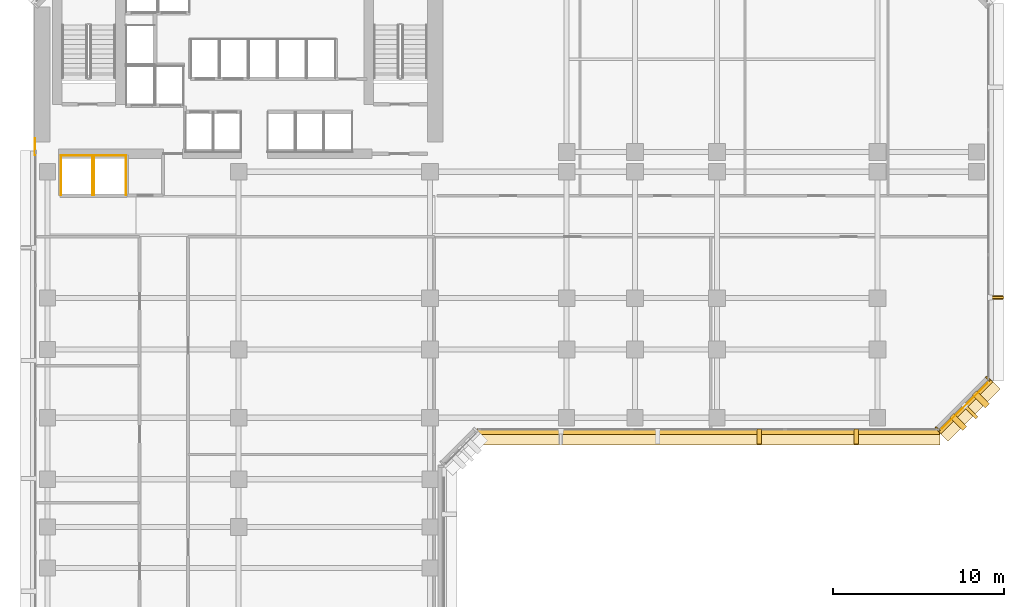
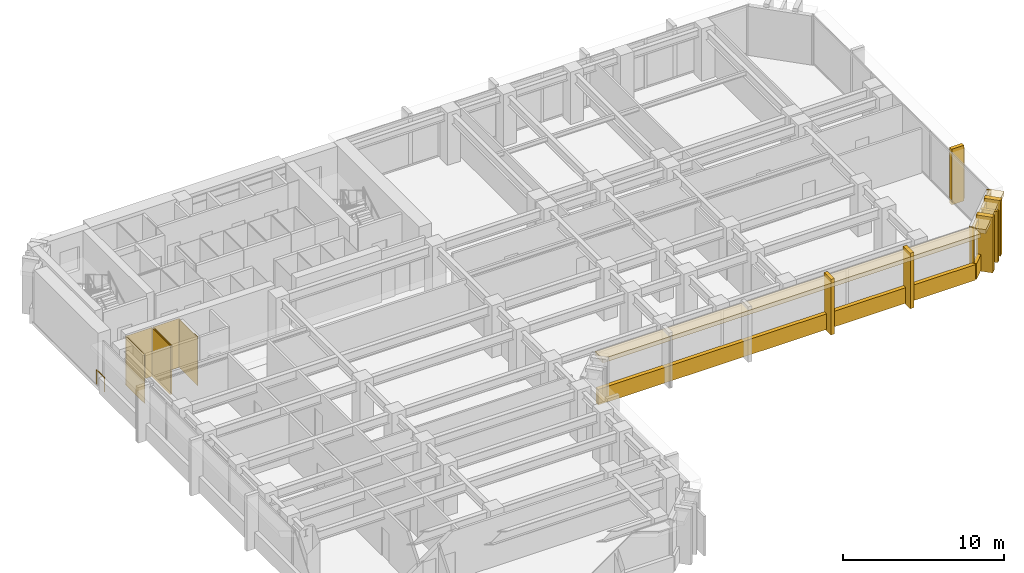
# One storey, part 11 of 14: 18 coverings, 2 shading devices, 1 railing.
"""IFC4 building model written with IfcOpenShell, lengths in metres."""

from ifc_helpers import new_model, si_unit, direction, frame, origin, origin_2d, place, context, subcontext, project, spatial, polyline, rectangle, circle, outline, extrude, material, layer, layer_set, material_profile, profile_set, type_object, element, save


model = new_model("IFC4")

# Units and contexts
model_context = context("Model", 3, precision=1e-05, world=origin(), true_north=direction((0.0, 1.0)))
body_context = subcontext(model_context, "Body", "Model", "MODEL_VIEW")
ifc_project = project(units=[si_unit("LENGTHUNIT", "METRE"), si_unit("AREAUNIT", "SQUARE_METRE"), si_unit("VOLUMEUNIT", "CUBIC_METRE"), si_unit("PLANEANGLEUNIT", "RADIAN"), si_unit("MASSUNIT", "GRAM", prefix="KILO")], contexts=[model_context])

# Site, building, storey
site_placement = place(None, origin())
site = spatial("IfcSite", under=ifc_project, at=site_placement, CompositionType="ELEMENT")
building_placement = place(site_placement, origin())
building = spatial("IfcBuilding", under=site, at=building_placement, Name="Kefirva Bronze Tower", CompositionType="ELEMENT")
storey_placement = place(building_placement, frame((0.0, 0.0, 42.239990234375)))
storey = spatial("IfcBuildingStorey", under=building, at=storey_placement, Name="L09", CompositionType="ELEMENT", Elevation=42.239990234375)

# Coverings
ifc_material_1 = material(Name="Bronze anodised aluminium", Category="aluminium")
ifc_layer_1 = layer(ifc_material_1, 0.02001953125, Name="Bronze anodised aluminium")
ifc_layer_set_1 = layer_set([ifc_layer_1], Name="Bronze anodised aluminium")
covering_type_1 = type_object("IfcCoveringType", Name="Anodised Bronze Spandrel Cladding 20mm", PredefinedType="CLADDING", material=ifc_layer_set_1)
covering_1_placement = place(storey_placement, frame((39.5, 17.9599609375, -0.16015625), z_axis=(0.0, 0.0, 1.0), x_axis=(1.0, 0.0, 0.0)))
element("IfcCovering", 1, at=covering_1_placement, inside=storey, type_object=covering_type_1, Name="L09 Streamline Horizontal Spandrel Band 4", PredefinedType="CLADDING", context=body_context, shape_type="SweptSolid", body=[
    extrude(rectangle(XDim=27.0400390625, YDim=0.280029296875, at=origin_2d()), origin(), (0.0, 0.0, 1.0), 1.179931640625),
])
covering_2_placement = place(storey_placement, frame((54.507080078125, 19.492919921875, 3.2900390625), z_axis=(0.0, 0.0, 1.0), x_axis=(0.707106781187, 0.707106781187, 0.0)))
element("IfcCovering", 2, at=covering_2_placement, inside=storey, type_object=covering_type_1, Name="L09 Bronze Spandrel Cladding 4", PredefinedType="CLADDING", context=body_context, shape_type="SweptSolid", body=[
    extrude(rectangle(XDim=3.719482421875, YDim=0.02001953125, at=origin_2d()), origin(), (0.0, 0.0, 1.0), 0.39990234375),
])
for number, where, z_axis, x_axis, name in (
    (3, (52.91162109375, 18.137939453125, 0.0), (0.0, 0.0, 1.0), (0.707106781187, 0.707106781187, 0.0), "L09 Facade Joint Closure Panel 4S"),
    (4, (55.862060546875, 21.08837890625, 0.0), (0.0, 0.0, 1.0), (0.707106781187, 0.707106781187, 0.0), "L09 Facade Joint Closure Panel 4E"),
):
    element("IfcCovering", number, at=place(storey_placement, frame(where, z_axis=z_axis, x_axis=x_axis)), inside=storey, type_object=covering_type_1, Name=name, PredefinedType="CLADDING", context=body_context, shape_type="SweptSolid", body=[
        extrude(rectangle(XDim=0.10009765625, YDim=0.320068359375, at=origin_2d()), origin(), (0.0, 0.0, 1.0), 3.7099609375),
    ])
covering_3_placement = place(storey_placement, frame((54.5283203125, 19.4716796875, -0.16015625), z_axis=(0.0, 0.0, 1.0), x_axis=(0.707106781187, 0.707106781187, 0.0)))
element("IfcCovering", 5, at=covering_3_placement, inside=storey, type_object=covering_type_1, Name="L09 Streamline Horizontal Spandrel Band 5", PredefinedType="CLADDING", context=body_context, shape_type="SweptSolid", body=[
    extrude(rectangle(XDim=4.28271484375, YDim=0.280029296875, at=origin_2d()), origin(), (0.0, 0.0, 1.0), 1.179931640625),
])
covering_4_placement = place(storey_placement, origin())
element("IfcCovering", 6, at=covering_4_placement, inside=storey, type_object=covering_type_1, Name="L09 Lift OB1 Hoistway Liner N", PredefinedType="CLADDING", context=body_context, shape_type="SweptSolid", body=[
    extrude(outline(polyline([(1.580078125, 34.139892578125), (3.469970703125, 34.139892578125), (3.469970703125, 34.159912109375), (1.580078125, 34.159912109375), (1.580078125, 34.139892578125)])), origin(), (0.0, 0.0, 1.0), 3.7099609375),
])
covering_5_placement = place(storey_placement, origin())
element("IfcCovering", 7, at=covering_5_placement, inside=storey, type_object=covering_type_1, Name="L09 Lift OB1 Hoistway Liner W", PredefinedType="CLADDING", context=body_context, shape_type="SweptSolid", body=[
    extrude(outline(polyline([(1.590087890625, 31.830078125), (1.610107421875, 31.830078125), (1.610107421875, 34.169921875), (1.590087890625, 34.169921875), (1.590087890625, 31.830078125)])), origin(), (0.0, 0.0, 1.0), 3.7099609375),
])
covering_6_placement = place(storey_placement, origin())
element("IfcCovering", 8, at=covering_6_placement, inside=storey, type_object=covering_type_1, Name="L09 Lift OB1 Hoistway Liner E", PredefinedType="CLADDING", context=body_context, shape_type="SweptSolid", body=[
    extrude(outline(polyline([(3.43994140625, 31.830078125), (3.4599609375, 31.830078125), (3.4599609375, 34.169921875), (3.43994140625, 34.169921875), (3.43994140625, 31.830078125)])), origin(), (0.0, 0.0, 1.0), 3.7099609375),
])
covering_7_placement = place(storey_placement, origin())
element("IfcCovering", 9, at=covering_7_placement, inside=storey, type_object=covering_type_1, Name="L09 Lift OB2 Hoistway Liner N", PredefinedType="CLADDING", context=body_context, shape_type="SweptSolid", body=[
    extrude(outline(polyline([(3.530029296875, 34.139892578125), (5.419921875, 34.139892578125), (5.419921875, 34.159912109375), (3.530029296875, 34.159912109375), (3.530029296875, 34.139892578125)])), origin(), (0.0, 0.0, 1.0), 3.7099609375),
])
covering_8_placement = place(storey_placement, origin())
element("IfcCovering", 10, at=covering_8_placement, inside=storey, type_object=covering_type_1, Name="L09 Lift OB2 Hoistway Liner W", PredefinedType="CLADDING", context=body_context, shape_type="SweptSolid", body=[
    extrude(outline(polyline([(3.5400390625, 31.830078125), (3.56005859375, 31.830078125), (3.56005859375, 34.169921875), (3.5400390625, 34.169921875), (3.5400390625, 31.830078125)])), origin(), (0.0, 0.0, 1.0), 3.7099609375),
])
covering_9_placement = place(storey_placement, origin())
element("IfcCovering", 11, at=covering_9_placement, inside=storey, type_object=covering_type_1, Name="L09 Lift OB2 Hoistway Liner E", PredefinedType="CLADDING", context=body_context, shape_type="SweptSolid", body=[
    extrude(outline(polyline([(5.389892578125, 31.830078125), (5.409912109375, 31.830078125), (5.409912109375, 34.169921875), (5.389892578125, 34.169921875), (5.389892578125, 31.830078125)])), origin(), (0.0, 0.0, 1.0), 3.7099609375),
])

# Shading device
ifc_material_profile_1 = material_profile(ifc_material_1, rectangle(XDim=0.179931640625, YDim=1.080078125, at=origin_2d()), Name="BRONZE BUTTRESS FIN 180x1080")
ifc_profile_set_1 = profile_set([ifc_material_profile_1], Name="Bronze anodised aluminium")
shading_device_type_1 = type_object("IfcShadingDeviceType", Name="Chamfered Corner Buttress Bronze Fin 1080mm", PredefinedType="USERDEFINED", material=ifc_profile_set_1)
shading_device_1_placement = place(storey_placement, frame((54.8251953125, 19.1748046875, -0.139892578125), z_axis=(0.0, 0.0, 1.0), x_axis=(0.707106781187, 0.707106781187, 0.0)))
element("IfcShadingDevice", 12, at=shading_device_1_placement, inside=storey, type_object=shading_device_type_1, Name="L09 Chamfered Corner Buttress Fin 14", ObjectType="VERTICAL FIN", PredefinedType="USERDEFINED", context=body_context, shape_type="SweptSolid", body=[
    extrude(rectangle(XDim=0.179931640625, YDim=1.080078125, at=origin_2d()), origin(), (0.0, 0.0, 1.0), 3.849853515625),
])

# Railing
ifc_material_2 = material(Name="Stainless steel 316", Category="steel")
railing_type = type_object("IfcRailingType", Name="Interior Stair Guardrail 1100mm", PredefinedType="GUARDRAIL", material=ifc_material_2)
railing_placement = place(storey_placement, frame((0.080078125, 34.199951171875, 0.0)))
element("IfcRailing", 13, at=railing_placement, inside=storey, type_object=railing_type, Name="L09 West Core Junction Guardrail", PredefinedType="GUARDRAIL", context=body_context, shape_type="SweptSolid", body=[
    extrude(circle(Radius=0.02392578125, at=origin_2d()), frame((0.0, 0.0, 1.076171875), z_axis=(0.0, 1.0, 0.0), x_axis=(-1.0, 0.0, 0.0)), (0.0, 0.0, 1.0), 0.949951171875),
    extrude(circle(Radius=0.02099609375, at=origin_2d()), origin(), (0.0, 0.0, 1.0), 1.052001953125),
    extrude(circle(Radius=0.02099609375, at=origin_2d()), frame((0.0, 0.949951171875, 0.0)), (0.0, 0.0, 1.0), 1.052001953125),
])

# Coverings
ifc_layer_2 = layer(ifc_material_1, 0.179931640625, Name="Bronze anodised aluminium")
ifc_layer_set_2 = layer_set([ifc_layer_2], Name="Bronze anodised aluminium")
covering_type_2 = type_object("IfcCoveringType", Name="Streamline Bronze Sunshade Eyebrow Cladding 180mm", PredefinedType="CLADDING", material=ifc_layer_set_2)
covering_10_placement = place(storey_placement, frame((39.5, 17.68994140625, 3.39013671875), z_axis=(0.0, 0.0, 1.0), x_axis=(1.0, 0.0, 0.0)))
element("IfcCovering", 14, at=covering_10_placement, inside=storey, type_object=covering_type_2, Name="L09 Streamline Bronze Sunshade Eyebrow 4", PredefinedType="CLADDING", context=body_context, shape_type="SweptSolid", body=[
    extrude(rectangle(XDim=27.080078125, YDim=0.93994140625, at=origin_2d()), origin(), (0.0, 0.0, 1.0), 0.320068359375),
])
covering_11_placement = place(storey_placement, frame((54.71923828125, 19.28076171875, 3.39013671875), z_axis=(0.0, 0.0, 1.0), x_axis=(0.707106781187, 0.707106781187, 0.0)))
element("IfcCovering", 15, at=covering_11_placement, inside=storey, type_object=covering_type_2, Name="L09 Streamline Bronze Sunshade Eyebrow 5", PredefinedType="CLADDING", context=body_context, shape_type="SweptSolid", body=[
    extrude(rectangle(XDim=4.322509765625, YDim=0.93994140625, at=origin_2d()), origin(), (0.0, 0.0, 1.0), 0.320068359375),
])
ifc_layer_3 = layer(ifc_material_1, 0.260009765625, Name="Bronze anodised aluminium")
ifc_layer_set_3 = layer_set([ifc_layer_3], Name="Bronze anodised aluminium")
covering_type_3 = type_object("IfcCoveringType", Name="Unbroken Bronze Buttress Fin Cladding 260mm", PredefinedType="CLADDING", material=ifc_layer_set_3)
for number, where, z_axis, x_axis, name in (
    (16, (42.469970703125, 17.699951171875, -0.25), (0.0, 0.0, 1.0), (1.0, 0.0, 0.0), "L09 Unbroken Vertical Bronze Rib Fin 11"),
    (17, (48.139892578125, 17.699951171875, -0.25), (0.0, 0.0, 1.0), (1.0, 0.0, 0.0), "L09 Unbroken Vertical Bronze Rib Fin 12"),
):
    element("IfcCovering", number, at=place(storey_placement, frame(where, z_axis=z_axis, x_axis=x_axis)), inside=storey, type_object=covering_type_3, Name=name, PredefinedType="CLADDING", context=body_context, shape_type="SweptSolid", body=[
        extrude(rectangle(XDim=0.260009765625, YDim=0.8798828125, at=origin_2d()), origin(), (0.0, 0.0, 1.0), 4.2099609375),
    ])
for number, where, z_axis, x_axis, name in (
    (18, (54.122802734375, 18.55712890625, -0.25), (0.0, 0.0, 1.0), (0.707106781187, 0.707106781187, 0.0), "L09 Chamfered Corner Buttress Fin Cladding 13"),
    (19, (55.44287109375, 19.877197265625, -0.25), (0.0, 0.0, 1.0), (0.707106781187, 0.707106781187, 0.0), "L09 Chamfered Corner Buttress Fin Cladding 14"),
):
    element("IfcCovering", number, at=place(storey_placement, frame(where, z_axis=z_axis, x_axis=x_axis)), inside=storey, type_object=covering_type_3, Name=name, PredefinedType="CLADDING", context=body_context, shape_type="SweptSolid", body=[
        extrude(rectangle(XDim=0.340087890625, YDim=1.080078125, at=origin_2d()), origin(), (0.0, 0.0, 1.0), 4.2099609375),
    ])
covering_12_placement = place(storey_placement, frame((56.300048828125, 25.840087890625, -0.25), z_axis=(0.0, 0.0, 1.0), x_axis=(0.0, 1.0, 0.0)))
element("IfcCovering", 20, at=covering_12_placement, inside=storey, type_object=covering_type_3, Name="L09 Unbroken Vertical Bronze Rib Fin 15", PredefinedType="CLADDING", context=body_context, shape_type="SweptSolid", body=[
    extrude(rectangle(XDim=0.260009765625, YDim=0.8798828125, at=origin_2d()), origin(), (0.0, 0.0, 1.0), 4.2099609375),
])

# Shading device
ifc_material_profile_2 = material_profile(ifc_material_1, rectangle(XDim=0.139892578125, YDim=0.8798828125, at=origin_2d()), Name="BRONZE FIN 140x880")
ifc_profile_set_2 = profile_set([ifc_material_profile_2], Name="Bronze anodised aluminium")
shading_device_type_2 = type_object("IfcShadingDeviceType", Name="Unbroken Vertical Bronze Facade Fin 880mm", PredefinedType="USERDEFINED", material=ifc_profile_set_2)
shading_device_2_placement = place(storey_placement, frame((56.360107421875, 25.840087890625, -0.139892578125), z_axis=(0.0, 0.0, 1.0), x_axis=(0.0, 1.0, 0.0)))
element("IfcShadingDevice", 21, at=shading_device_2_placement, inside=storey, type_object=shading_device_type_2, Name="L09 Vertical Bronze Rib Fin 15", ObjectType="VERTICAL FIN", PredefinedType="USERDEFINED", context=body_context, shape_type="SweptSolid", body=[
    extrude(rectangle(XDim=0.139892578125, YDim=0.8798828125, at=origin_2d()), origin(), (0.0, 0.0, 1.0), 3.849853515625),
])

save(model, "model.ifc")
